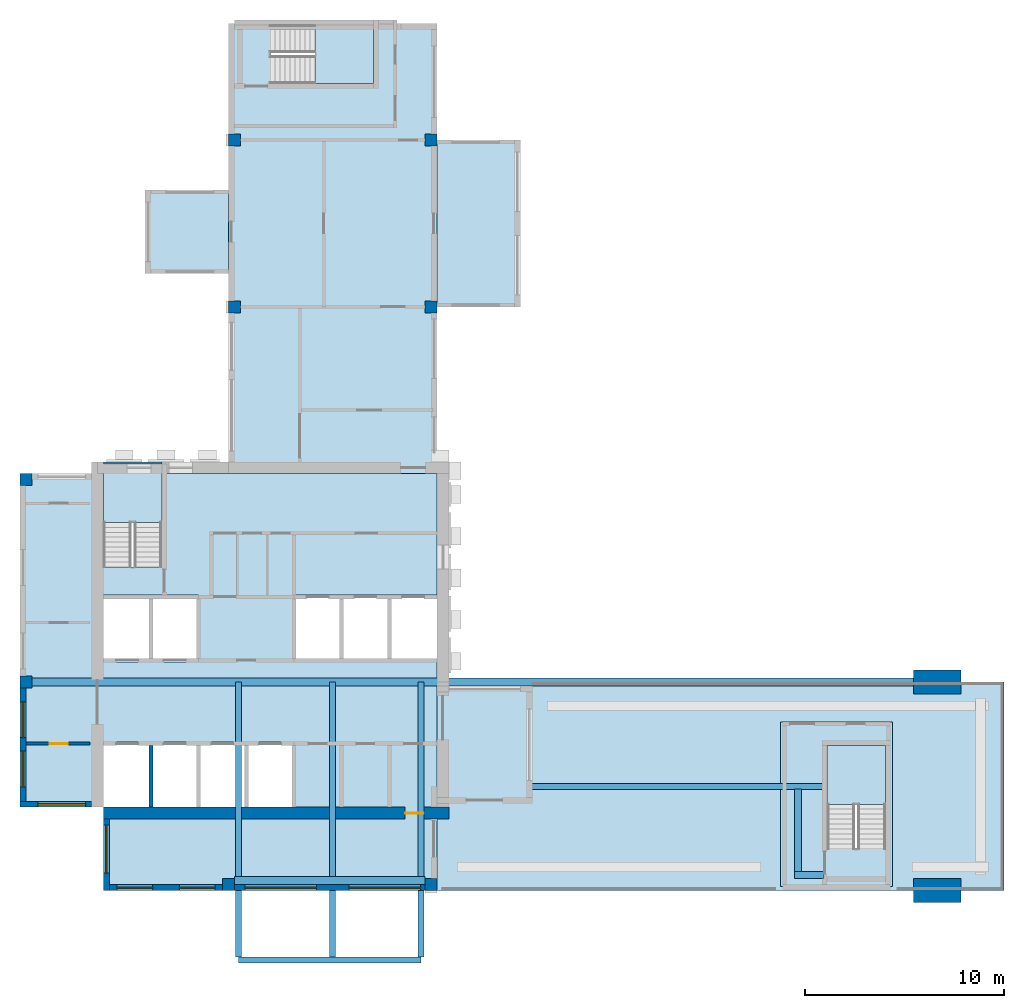
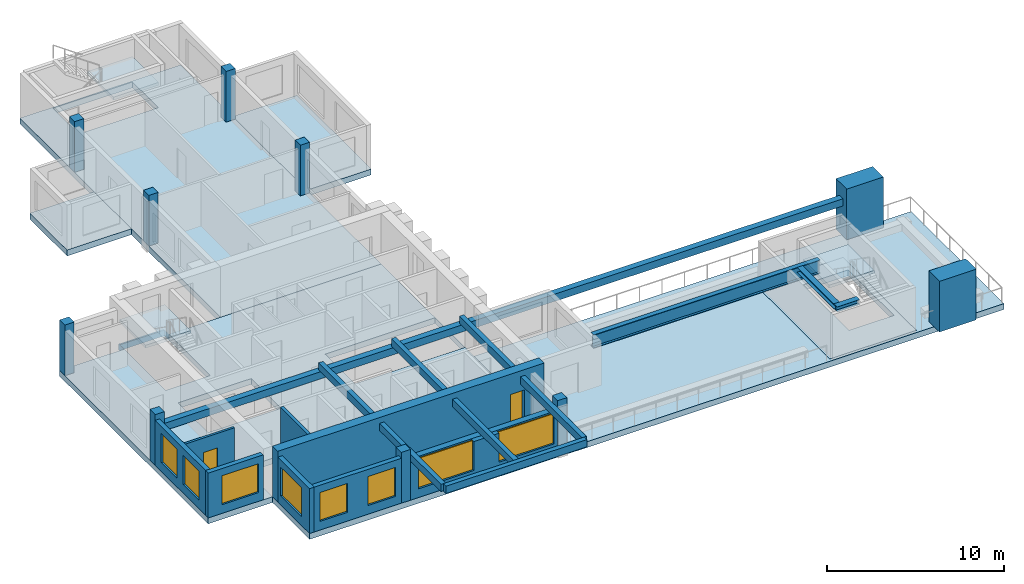
# One storey, part 1 of 9: 10 columns, 10 slabs, 9 beams, 8 walls, 8 windows, 2 doors, 10 openings, 3 elements without a shape of their own.
"""IFC4 building model written with IfcOpenShell, lengths in metres."""

from ifc_helpers import new_model, si_unit, direction, frame, frame_2d, origin, origin_2d, place, context, subcontext, project, spatial, polyline, rectangle, i_section, outline, extrude, source, transform, mapped, material, layer, layer_set, material_profile, profile_set, type_object, element, fill, aggregate, save


model = new_model("IFC4")

# Units and contexts
model_context = context("Model", 3, precision=1e-05, world=origin(), true_north=direction((0.0, 1.0)))
body_context = subcontext(model_context, "Body", "Model", "MODEL_VIEW")
ifc_project = project(units=[si_unit("LENGTHUNIT", "METRE"), si_unit("AREAUNIT", "SQUARE_METRE"), si_unit("VOLUMEUNIT", "CUBIC_METRE"), si_unit("PLANEANGLEUNIT", "RADIAN"), si_unit("MASSUNIT", "GRAM", prefix="KILO")], contexts=[model_context])

# Site, building, storey
site_placement = place(None, origin())
site = spatial("IfcSite", under=ifc_project, at=site_placement, CompositionType="ELEMENT")
building_placement = place(site_placement, origin())
building = spatial("IfcBuilding", under=site, at=building_placement, Name="Aurelian Terraces", CompositionType="ELEMENT")
storey_placement = place(building_placement, frame((0.0, 0.0, 330.0)))
storey = spatial("IfcBuildingStorey", under=building, at=storey_placement, Name="L77", CompositionType="ELEMENT", Elevation=330.0)

# Columns
ifc_material_1 = material(Name="Concrete fc' 55 MPa", Category="concrete")
ifc_material_profile_1 = material_profile(ifc_material_1, rectangle(XDim=2.4, YDim=1.2, at=origin_2d()))
ifc_profile_set_1 = profile_set([ifc_material_profile_1], Name="Concrete fc' 55 MPa")
column_type_1 = type_object("IfcColumnType", Name="Portal jamb pilaster 2400x1200", PredefinedType="PILASTER", material=ifc_profile_set_1)
column_1_placement = place(storey_placement, frame((46.2, 0.0, 0.0), z_axis=(0.0, 0.0, 1.0), x_axis=(1.0, 0.0, 0.0)))
element("IfcColumn", 1, at=column_1_placement, inside=storey, type_object=column_type_1, Name="Column 6/A L77", PredefinedType="PILASTER", context=body_context, shape_type="SweptSolid", body=[
    extrude(rectangle(XDim=2.4, YDim=1.2, at=origin_2d()), origin(), (0.0, 0.0, 1.0), 3.5),
])
ifc_material_profile_2 = material_profile(ifc_material_1, rectangle(XDim=0.6, YDim=0.6, at=origin_2d()))
ifc_profile_set_2 = profile_set([ifc_material_profile_2], Name="Concrete fc' 55 MPa")
column_type_2 = type_object("IfcColumnType", Name="RC COLUMN 600X600 FC55", PredefinedType="COLUMN", material=ifc_profile_set_2)
shared_shape_1 = source(origin(), body_context, "Body", "SweptSolid", [
    extrude(rectangle(XDim=0.6, YDim=0.6, at=origin_2d()), origin(), (0.0, 0.0, 1.0), 3.5),
])
for number, where, z_axis, x_axis, name in (
    (2, (10.5, 0.3, 0.0), (0.0, 0.0, 1.0), (1.0, 0.0, 0.0), "Column 2/A L77"),
    (3, (20.7, 0.3, 0.0), (0.0, 0.0, 1.0), (1.0, 0.0, 0.0), "Column 3/A L77"),
    (4, (0.3, 10.5, 0.0), (0.0, 0.0, 1.0), (1.0, 0.0, 0.0), "Column 1/B L77"),
    (5, (0.3, 20.7, 0.0), (0.0, 0.0, 1.0), (1.0, 0.0, 0.0), "Column 1/C L77"),
    (6, (10.8, 29.4, 0.0), (0.0, 0.0, 1.0), (1.0, 0.0, 0.0), "Column 2/D L77"),
    (7, (20.7, 29.4, 0.0), (0.0, 0.0, 1.0), (1.0, 0.0, 0.0), "Column 3/D L77"),
    (8, (10.8, 37.8, 0.0), (0.0, 0.0, 1.0), (1.0, 0.0, 0.0), "Column 2/E L77"),
    (9, (20.7, 37.8, 0.0), (0.0, 0.0, 1.0), (1.0, 0.0, 0.0), "Column 3/E L77"),
):
    element("IfcColumn", number, at=place(storey_placement, frame(where, z_axis=z_axis, x_axis=x_axis)), inside=storey, type_object=column_type_2, Name=name, PredefinedType="COLUMN", context=body_context, shape_type="MappedRepresentation", body=[
        mapped(shared_shape_1, transform((0.0, 0.0, 0.0), scale=1.0)),
    ])
shared_shape_2 = source(origin(), body_context, "Body", "SweptSolid", [
    extrude(rectangle(XDim=2.4, YDim=1.2, at=origin_2d()), origin(), (0.0, 0.0, 1.0), 3.5),
])
column_2_placement = place(storey_placement, frame((46.2, 10.5, 0.0), z_axis=(0.0, 0.0, 1.0), x_axis=(1.0, 0.0, 0.0)))
element("IfcColumn", 10, at=column_2_placement, inside=storey, type_object=column_type_1, Name="Column 6/B L77", PredefinedType="PILASTER", context=body_context, shape_type="MappedRepresentation", body=[
    mapped(shared_shape_2, transform((0.0, 0.0, 0.0), scale=1.0)),
])

# Beams
ifc_material_2 = material(Name="Concrete fc' 40 MPa", Category="concrete")
ifc_material_profile_3 = material_profile(ifc_material_2, rectangle(XDim=0.3, YDim=0.5, at=origin_2d()))
ifc_profile_set_3 = profile_set([ifc_material_profile_3], Name="Concrete fc' 40 MPa")
beam_type_1 = type_object("IfcBeamType", Name="CONCRETE CANTILEVER BEAM 300X500", PredefinedType="BEAM", material=ifc_profile_set_3)
beam_1_placement = place(storey_placement, frame((11.0, -3.35, 2.85), z_axis=(0.0, 1.0, 0.0), x_axis=(-1.0, 0.0, 0.0)))
element("IfcBeam", 11, at=beam_1_placement, inside=storey, type_object=beam_type_1, Name="Box cantilever beam J93.1", PredefinedType="BEAM", context=body_context, shape_type="SweptSolid", body=[
    extrude(rectangle(XDim=0.3, YDim=0.5, at=origin_2d()), origin(), (0.0, 0.0, 1.0), 13.85),
])
beam_2_placement = place(storey_placement, frame((11.0, -3.5, 2.85), z_axis=(1.0, 0.0, 0.0), x_axis=(0.0, 1.0, 0.0)))
element("IfcBeam", 12, at=beam_2_placement, inside=storey, type_object=beam_type_1, Name="Box tip beam J93", PredefinedType="BEAM", context=body_context, shape_type="SweptSolid", body=[
    extrude(rectangle(XDim=0.3, YDim=0.5, at=origin_2d()), origin(), (0.0, 0.0, 1.0), 9.2),
])
ifc_material_profile_4 = material_profile(ifc_material_2, rectangle(XDim=0.4, YDim=0.5, at=origin_2d()))
ifc_profile_set_4 = profile_set([ifc_material_profile_4], Name="Concrete fc' 40 MPa")
beam_type_2 = type_object("IfcBeamType", Name="CONCRETE EDGE GIRDER 400X500", PredefinedType="BEAM", material=ifc_profile_set_4)
beam_3_placement = place(storey_placement, frame((0.6, 10.5, 2.35), z_axis=(1.0, 0.0, 0.0), x_axis=(0.0, 1.0, 0.0)))
element("IfcBeam", 13, at=beam_3_placement, inside=storey, type_object=beam_type_2, Name="Box girder L77 I180", PredefinedType="BEAM", context=body_context, shape_type="SweptSolid", body=[
    extrude(rectangle(XDim=0.4, YDim=0.5, at=origin_2d()), origin(), (0.0, 0.0, 1.0), 45.3),
])
ifc_material_3 = material(Name="Steel ASTM A992 Gr50", Category="steel")
ifc_material_profile_5 = material_profile(ifc_material_3, i_section(OverallWidth=0.3077, OverallDepth=0.9268, WebThickness=0.0194, FlangeThickness=0.032, at=origin_2d()))
ifc_profile_set_5 = profile_set([ifc_material_profile_5], Name="Steel ASTM A992 Gr50")
beam_type_3 = type_object("IfcBeamType", Name="PC903 PORTAL CHORD W36X194", PredefinedType="BEAM", material=ifc_profile_set_5)
beam_4_placement = place(storey_placement, frame((25.7, 5.25, 2.6364), z_axis=(1.0, 0.0, 0.0), x_axis=(0.0, 1.0, 0.0)))
element("IfcBeam", 14, at=beam_4_placement, inside=storey, type_object=beam_type_3, Name="Link girder L78", PredefinedType="BEAM", context=body_context, shape_type="SweptSolid", body=[
    extrude(i_section(OverallWidth=0.3077, OverallDepth=0.9268, WebThickness=0.0194, FlangeThickness=0.032, at=origin_2d()), origin(), (0.0, 0.0, 1.0), 14.795),
])
ifc_material_profile_6 = material_profile(ifc_material_3, i_section(OverallWidth=0.3688, OverallDepth=0.3561, WebThickness=0.0112, FlangeThickness=0.018, at=origin_2d()))
ifc_profile_set_6 = profile_set([ifc_material_profile_6], Name="Steel ASTM A992 Gr50")
beam_type_4 = type_object("IfcBeamType", Name="PC904 PORTAL CHORD W14X90", PredefinedType="BEAM", material=ifc_profile_set_6)
beam_5_placement = place(storey_placement, frame((39.1844, 0.9488, 2.9218), z_axis=(0.0, 1.0, 0.0), x_axis=(-1.0, 0.0, 0.0)))
element("IfcBeam", 15, at=beam_5_placement, inside=storey, type_object=beam_type_4, Name="Link south leg beam L78", PredefinedType="BEAM", context=body_context, shape_type="SweptSolid", body=[
    extrude(i_section(OverallWidth=0.3688, OverallDepth=0.3561, WebThickness=0.0112, FlangeThickness=0.018, at=origin_2d()), origin(), (0.0, 0.0, 1.0), 4.1673),
])
beam_6_placement = place(storey_placement, frame((39.02, 0.7844, 2.9218), z_axis=(1.0, 0.0, 0.0), x_axis=(0.0, 1.0, 0.0)))
element("IfcBeam", 16, at=beam_6_placement, inside=storey, type_object=beam_type_4, Name="Link south leg end beam L78", PredefinedType="BEAM", context=body_context, shape_type="SweptSolid", body=[
    extrude(i_section(OverallWidth=0.3688, OverallDepth=0.3561, WebThickness=0.0112, FlangeThickness=0.018, at=origin_2d()), origin(), (0.0, 0.0, 1.0), 1.475),
])
shared_shape_3 = source(origin(), body_context, "Body", "SweptSolid", [
    extrude(rectangle(XDim=0.4, YDim=0.5, at=origin_2d()), origin(), (0.0, 0.0, 1.0), 9.6),
])
beam_7_placement = place(storey_placement, frame((10.8, 0.5, 2.35), z_axis=(1.0, 0.0, 0.0), x_axis=(0.0, 1.0, 0.0)))
element("IfcBeam", 17, at=beam_7_placement, inside=storey, type_object=beam_type_2, Name="Box girder L77 O179", PredefinedType="BEAM", context=body_context, shape_type="MappedRepresentation", body=[
    mapped(shared_shape_3, transform((0.0, 0.0, 0.0), scale=1.0)),
])
shared_shape_4 = source(origin(), body_context, "Body", "SweptSolid", [
    extrude(rectangle(XDim=0.3, YDim=0.5, at=origin_2d()), origin(), (0.0, 0.0, 1.0), 13.85),
])
for number, where, z_axis, x_axis, name in (
    (18, (20.2, -3.35, 2.85), (0.0, 1.0, 0.0), (-1.0, 0.0, 0.0), "Box cantilever beam J93.2"),
    (19, (15.75, -3.35, 2.85), (0.0, 1.0, 0.0), (-1.0, 0.0, 0.0), "Box cantilever beam J93.m1"),
):
    element("IfcBeam", number, at=place(storey_placement, frame(where, z_axis=z_axis, x_axis=x_axis)), inside=storey, type_object=beam_type_1, Name=name, PredefinedType="BEAM", context=body_context, shape_type="MappedRepresentation", body=[
        mapped(shared_shape_4, transform((0.0, 0.0, 0.0), scale=1.0)),
    ])

# Slabs
ifc_layer_1 = layer(ifc_material_2, 0.41)
ifc_layer_set_1 = layer_set([ifc_layer_1], Name="Box floor 410")
slab_type_1 = type_object("IfcSlabType", Name="Box floor 410", PredefinedType="NOTDEFINED", material=ifc_layer_set_1)
slab_1_placement = place(storey_placement, frame((0.0, 0.0, -0.41)))
element("IfcSlab", 20, at=slab_1_placement, inside=storey, type_object=slab_type_1, Name="Box floor L77 J92", PredefinedType="NOTDEFINED", context=body_context, shape_type="SweptSolid", body=[
    extrude(outline(polyline([(6.3, 35.28), (6.3, 31.08), (10.5, 31.08), (10.5, 35.28), (6.3, 35.28)])), origin(), (0.0, 0.0, 1.0), 0.41),
])
ifc_layer_2 = layer(ifc_material_2, 0.4)
ifc_layer_set_2 = layer_set([ifc_layer_2], Name="PT FLAT PLATE 400")
slab_type_2 = type_object("IfcSlabType", Name="PT FLAT PLATE 400", PredefinedType="FLOOR", material=ifc_layer_set_2)
slab_2_placement = place(storey_placement, frame((0.0, 0.0, -0.4)))
element("IfcSlab", 21, at=slab_2_placement, inside=storey, type_object=slab_type_2, Name="Floor slab S2 L77", PredefinedType="FLOOR", context=body_context, shape_type="SweptSolid", body=[
    extrude(outline(polyline([(38.3, 8.5), (43.95, 8.5), (43.95, 0.2), (38.3, 0.2), (38.3, 8.5)]), holes=[polyline([(40.66, 2.11), (43.59, 2.11), (43.59, 7.29), (40.66, 7.29), (40.66, 2.11)])]), origin(), (0.0, 0.0, 1.0), 0.4),
])
ifc_layer_3 = layer(ifc_material_2, 0.4001)
ifc_layer_set_3 = layer_set([ifc_layer_3], Name="Terrace slab 400")
slab_type_3 = type_object("IfcSlabType", Name="Terrace slab 400", PredefinedType="NOTDEFINED", material=ifc_layer_set_3)
slab_3_placement = place(storey_placement, frame((0.0, 0.0, -0.4001)))
element("IfcSlab", 22, at=slab_3_placement, inside=storey, type_object=slab_type_3, Name="Portal terrace L77 PORTAL-T1", PredefinedType="NOTDEFINED", context=body_context, shape_type="SweptSolid", body=[
    extrude(outline(polyline([(49.56, 4.2), (49.56, 0.0), (21.0, 0.0), (21.0, 10.5), (49.56, 10.5), (49.56, 6.3), (49.56, 4.2)]), holes=[polyline([(43.95, 8.5), (38.3, 8.5), (38.3, 0.2), (43.95, 0.2), (43.95, 8.5)])]), origin(), (0.0, 0.0, 1.0), 0.4001),
])
shared_shape_5 = source(origin(), body_context, "Body", "SweptSolid", [
    extrude(outline(polyline([(10.5, 43.68), (14.7, 43.68), (16.8, 43.68), (21.0, 43.68), (21.0, 21.0), (10.5, 21.0), (10.5, 43.68)]), holes=[polyline([(17.79, 43.59), (12.61, 43.59), (12.61, 40.66), (17.79, 40.66), (17.79, 43.59)])]), origin(), (0.0, 0.0, 1.0), 0.4),
])
slab_4_placement = place(storey_placement, frame((0.0, 0.0, -0.4)))
element("IfcSlab", 23, at=slab_4_placement, inside=storey, type_object=slab_type_2, Name="Floor slab W L77", PredefinedType="FLOOR", context=body_context, shape_type="MappedRepresentation", body=[
    mapped(shared_shape_5, transform((0.0, 0.0, 0.0), scale=1.0)),
])
shared_shape_6 = source(origin(), body_context, "Body", "SweptSolid", [
    extrude(outline(polyline([(4.2, 21.0), (4.2, 21.6), (7.15, 21.6), (7.15, 21.0), (7.14, 21.0), (7.14, 21.49), (4.21, 21.49), (4.21, 21.0), (4.2, 21.0)])), origin(), (0.0, 0.0, 1.0), 0.4),
])
slab_5_placement = place(storey_placement, frame((0.0, 0.0, -0.4)))
element("IfcSlab", 24, at=slab_5_placement, inside=storey, type_object=slab_type_2, Name="Floor slab W2 L77", PredefinedType="FLOOR", context=body_context, shape_type="MappedRepresentation", body=[
    mapped(shared_shape_6, transform((0.0, 0.0, 0.0), scale=1.0)),
])
shared_shape_7 = source(origin(), body_context, "Body", "SweptSolid", [
    extrude(outline(polyline([(4.2, 4.2), (0.0, 4.2), (0.0, 10.5), (0.0, 21.0), (4.21, 21.0), (4.21, 16.31), (7.14, 16.31), (7.14, 21.0), (21.0, 21.0), (21.0, 10.5), (21.0, 0.0), (4.2, 0.0), (4.2, 4.2)]), holes=[polyline([(13.81, 14.89), (13.81, 11.51), (20.99, 11.51), (20.99, 14.89), (13.81, 14.89)]), polyline([(4.21, 7.49), (4.21, 4.21), (13.79, 4.21), (13.79, 7.49), (4.21, 7.49)]), polyline([(8.99, 11.51), (8.99, 14.89), (4.21, 14.89), (4.21, 11.51), (8.99, 11.51)])]), origin(), (0.0, 0.0, 1.0), 0.4),
])
slab_6_placement = place(storey_placement, frame((0.0, 0.0, -0.4)))
element("IfcSlab", 25, at=slab_6_placement, inside=storey, type_object=slab_type_2, Name="Floor slab S L77", PredefinedType="FLOOR", context=body_context, shape_type="MappedRepresentation", body=[
    mapped(shared_shape_7, transform((0.0, 0.0, 0.0), scale=1.0)),
])
shared_shape_8 = source(origin(), body_context, "Body", "SweptSolid", [
    extrude(outline(polyline([(25.2, 29.4), (25.2, 37.8), (21.0, 37.8), (21.0, 29.4), (25.2, 29.4)])), origin(), (0.0, 0.0, 1.0), 0.41),
])
slab_7_placement = place(storey_placement, frame((0.0, 0.0, -0.41)))
element("IfcSlab", 26, at=slab_7_placement, inside=storey, type_object=slab_type_1, Name="Box floor L77 J91", PredefinedType="NOTDEFINED", context=body_context, shape_type="MappedRepresentation", body=[
    mapped(shared_shape_8, transform((0.0, 0.0, 0.0), scale=1.0)),
])

# Stair, slab
stair_type = type_object("IfcStairType", Name="Stair 1400", PredefinedType="HALF_TURN_STAIR", material=ifc_material_2)
stair_1_placement = place(storey_placement, origin())
stair_1 = element("IfcStair", 27, at=stair_1_placement, inside=storey, type_object=stair_type, Name="L77 S1", PredefinedType="HALF_TURN_STAIR")
ifc_layer_4 = layer(ifc_material_2, 0.2)
ifc_layer_set_4 = layer_set([ifc_layer_4], Name="Stair landing 200")
slab_type_4 = type_object("IfcSlabType", Name="Stair landing 200", PredefinedType="LANDING", material=ifc_layer_set_4)
shared_shape_9 = source(origin(), body_context, "Body", "SweptSolid", [
    extrude(outline(polyline([(7.15, 18.55), (7.15, 21.5), (4.2, 21.5), (4.2, 18.55), (7.15, 18.55)])), origin(), (0.0, 0.0, 1.0), 0.2),
])
slab_8_placement = place(storey_placement, frame((0.0, 0.0, 1.55)))
slab_8 = element("IfcSlab", 28, at=slab_8_placement, type_object=slab_type_4, Name="S1 landing 1", PredefinedType="LANDING", context=body_context, shape_type="MappedRepresentation", body=[
    mapped(shared_shape_9, transform((0.0, 0.0, 0.0), scale=1.0)),
])
aggregate(stair_1, [slab_8])

stair_2_placement = place(storey_placement, origin())
stair_2 = element("IfcStair", 29, at=stair_2_placement, inside=storey, type_object=stair_type, Name="L77 S2", PredefinedType="HALF_TURN_STAIR")
shared_shape_10 = source(origin(), body_context, "Body", "SweptSolid", [
    extrude(outline(polyline([(43.6, 4.35), (43.6, 7.3), (40.65, 7.3), (40.65, 4.35), (43.6, 4.35)])), origin(), (0.0, 0.0, 1.0), 0.2),
])
slab_9_placement = place(storey_placement, frame((0.0, 0.0, 1.55)))
slab_9 = element("IfcSlab", 30, at=slab_9_placement, type_object=slab_type_4, Name="S2 landing 1", PredefinedType="LANDING", context=body_context, shape_type="MappedRepresentation", body=[
    mapped(shared_shape_10, transform((0.0, 0.0, 0.0), scale=1.0)),
])
aggregate(stair_2, [slab_9])

stair_3_placement = place(storey_placement, origin())
stair_3 = element("IfcStair", 31, at=stair_3_placement, inside=storey, type_object=stair_type, Name="L77 S3U", PredefinedType="HALF_TURN_STAIR")
shared_shape_11 = source(origin(), body_context, "Body", "SweptSolid", [
    extrude(outline(polyline([(14.85, 40.65), (17.8, 40.65), (17.8, 43.6), (14.85, 43.6), (14.85, 40.65)])), origin(), (0.0, 0.0, 1.0), 0.2),
])
slab_10_placement = place(storey_placement, frame((0.0, 0.0, 1.55)))
slab_10 = element("IfcSlab", 32, at=slab_10_placement, type_object=slab_type_4, Name="S3U landing 1", PredefinedType="LANDING", context=body_context, shape_type="MappedRepresentation", body=[
    mapped(shared_shape_11, transform((0.0, 0.0, 0.0), scale=1.0)),
])
aggregate(stair_3, [slab_10])

# Wall, openings, windows
ifc_material_4 = material(Name="Terracotta rainscreen cladding", Category="masonry")
ifc_layer_5 = layer(ifc_material_4, 0.3)
ifc_layer_set_5 = layer_set([ifc_layer_5], Name="EW-300")
wall_type_1 = type_object("IfcWallType", Name="EW-300", PredefinedType="STANDARD", material=ifc_layer_set_5)
wall_1_placement = place(storey_placement, frame((10.8, 0.15, 0.0), z_axis=(0.0, 0.0, 1.0), x_axis=(1.0, 0.0, 0.0)))
wall_1 = element("IfcWall", 33, at=wall_1_placement, inside=storey, type_object=wall_type_1, Name="External wall L77 F01.2", PredefinedType="STANDARD", context=body_context, shape_type="SweptSolid", body=[
    extrude(rectangle(XDim=9.6, YDim=0.3, at=frame_2d((4.8, 0.0))), origin(), (0.0, 0.0, 1.0), 2.6),
])
shared_shape_12 = source(origin(), body_context, "Body", "SweptSolid", [
    extrude(rectangle(XDim=3.6, YDim=2.0, at=frame_2d((1.8, 1.0))), frame((0.0, 0.16, 0.0), z_axis=(0.0, -1.0, 0.0), x_axis=(1.0, 0.0, 0.0)), (0.0, 0.0, 1.0), 0.32),
])
opening_1_placement = place(wall_1_placement, frame((0.525, 0.0, 0.6)))
opening_1 = element("IfcOpeningElement", 34, at=opening_1_placement, cuts=wall_1, Name="Opening W3620", PredefinedType="OPENING", context=body_context, shape_type="MappedRepresentation", body=[
    mapped(shared_shape_12, transform((0.0, 0.0, 0.0), scale=1.0)),
])
opening_2_placement = place(wall_1_placement, frame((5.775, 0.0, 0.6)))
opening_2 = element("IfcOpeningElement", 35, at=opening_2_placement, cuts=wall_1, Name="Opening W3620", PredefinedType="OPENING", context=body_context, shape_type="MappedRepresentation", body=[
    mapped(shared_shape_12, transform((0.0, 0.0, 0.0), scale=1.0)),
])
ifc_material_5 = material(Name="Clear glazing", Category="glass")
window_type_1 = type_object("IfcWindowType", Name="W-3600x2000", PartitioningType="SINGLE_PANEL", PredefinedType="WINDOW", material=ifc_material_5)
shared_shape_13 = source(origin(), body_context, "Body", "SweptSolid", [
    extrude(rectangle(XDim=3.6, YDim=2.0, at=frame_2d((1.8, 1.0))), frame((0.0, 0.03, 0.0), z_axis=(0.0, -1.0, 0.0), x_axis=(1.0, 0.0, 0.0)), (0.0, 0.0, 1.0), 0.06),
])
window_1_placement = place(opening_1_placement, origin())
window_1 = element("IfcWindow", 36, at=window_1_placement, inside=storey, type_object=window_type_1, Name="Window L77 L77-F01-02-0", OverallHeight=2.0, OverallWidth=3.6, PartitioningType="SINGLE_PANEL", PredefinedType="WINDOW", context=body_context, shape_type="MappedRepresentation", body=[
    mapped(shared_shape_13, transform((0.0, 0.0, 0.0), scale=1.0)),
])
fill(opening_1, window_1)
window_2_placement = place(opening_2_placement, origin())
window_2 = element("IfcWindow", 37, at=window_2_placement, inside=storey, type_object=window_type_1, Name="Window L77 L77-F01-02-1", OverallHeight=2.0, OverallWidth=3.6, PartitioningType="SINGLE_PANEL", PredefinedType="WINDOW", context=body_context, shape_type="MappedRepresentation", body=[
    mapped(shared_shape_13, transform((0.0, 0.0, 0.0), scale=1.0)),
])
fill(opening_2, window_2)

# Wall, opening, door
ifc_layer_6 = layer(ifc_material_1, 0.6)
ifc_layer_set_6 = layer_set([ifc_layer_6], Name="CORE WALL 600 FC55")
wall_type_2 = type_object("IfcWallType", Name="CORE WALL 600 FC55", PredefinedType="SHEAR", material=ifc_layer_set_6)
shared_shape_14 = source(origin(), body_context, "Body", "SweptSolid", [
    extrude(rectangle(XDim=17.4, YDim=0.6, at=frame_2d((8.7, 0.0))), origin(), (0.0, 0.0, 1.0), 3.5),
])
wall_2_placement = place(storey_placement, frame((4.2, 3.9, 0.0), z_axis=(0.0, 0.0, 1.0), x_axis=(1.0, 0.0, 0.0)))
wall_2 = element("IfcWall", 38, at=wall_2_placement, inside=storey, type_object=wall_type_2, Name="Core wall S L77", PredefinedType="SHEAR", context=body_context, shape_type="MappedRepresentation", body=[
    mapped(shared_shape_14, transform((0.0, 0.0, 0.0), scale=1.0)),
])
shared_shape_15 = source(origin(), body_context, "Body", "SweptSolid", [
    extrude(rectangle(XDim=0.9, YDim=2.1, at=frame_2d((0.45, 1.05))), frame((0.0, 0.31, 0.0), z_axis=(0.0, -1.0, 0.0), x_axis=(1.0, 0.0, 0.0)), (0.0, 0.0, 1.0), 0.62),
])
opening_3_placement = place(wall_2_placement, frame((15.2, 0.0, 0.0)))
opening_3 = element("IfcOpeningElement", 39, at=opening_3_placement, cuts=wall_2, Name="Opening 68028", PredefinedType="OPENING", context=body_context, shape_type="MappedRepresentation", body=[
    mapped(shared_shape_15, transform((0.0, 0.0, 0.0), scale=1.0)),
])
ifc_material_6 = material(Name="Steel door leaf", Category="steel")
door_type_1 = type_object("IfcDoorType", Name="Core service door 900x2100 right", OperationType="SINGLE_SWING_RIGHT", PredefinedType="DOOR", material=ifc_material_6)
shared_shape_16 = source(origin(), body_context, "Body", "SweptSolid", [
    extrude(rectangle(XDim=0.9, YDim=2.1, at=frame_2d((0.45, 1.05))), frame((0.0, 0.025, 0.0), z_axis=(0.0, -1.0, 0.0), x_axis=(1.0, 0.0, 0.0)), (0.0, 0.0, 1.0), 0.05),
])
door_1_placement = place(opening_3_placement, origin())
door_1 = element("IfcDoor", 40, at=door_1_placement, inside=storey, type_object=door_type_1, Name="Core door 68028", OperationType="SINGLE_SWING_RIGHT", OverallHeight=2.1, OverallWidth=0.9, PredefinedType="DOOR", context=body_context, shape_type="MappedRepresentation", body=[
    mapped(shared_shape_16, transform((0.0, 0.0, 0.0), scale=1.0)),
])
fill(opening_3, door_1)

# Wall, opening, window
shared_shape_17 = source(origin(), body_context, "Body", "SweptSolid", [
    extrude(rectangle(XDim=3.6, YDim=0.3, at=frame_2d((1.8, 0.0))), origin(), (0.0, 0.0, 1.0), 3.1),
])
wall_3_placement = place(storey_placement, frame((0.0, 4.35, 0.0), z_axis=(0.0, 0.0, 1.0), x_axis=(1.0, 0.0, 0.0)))
wall_3 = element("IfcWall", 41, at=wall_3_placement, inside=storey, type_object=wall_type_1, Name="External wall L77 F11.17", PredefinedType="STANDARD", context=body_context, shape_type="MappedRepresentation", body=[
    mapped(shared_shape_17, transform((0.0, 0.0, 0.0), scale=1.0)),
])
shared_shape_18 = source(origin(), body_context, "Body", "SweptSolid", [
    extrude(rectangle(XDim=2.4, YDim=2.0, at=frame_2d((1.2, 1.0))), frame((0.0, 0.16, 0.0), z_axis=(0.0, -1.0, 0.0), x_axis=(1.0, 0.0, 0.0)), (0.0, 0.0, 1.0), 0.32),
])
opening_4_placement = place(wall_3_placement, frame((0.9, 0.0, 0.6)))
opening_4 = element("IfcOpeningElement", 42, at=opening_4_placement, cuts=wall_3, Name="Opening W2420", PredefinedType="OPENING", context=body_context, shape_type="MappedRepresentation", body=[
    mapped(shared_shape_18, transform((0.0, 0.0, 0.0), scale=1.0)),
])
window_type_2 = type_object("IfcWindowType", Name="W-2400x2000", PartitioningType="SINGLE_PANEL", PredefinedType="WINDOW", material=ifc_material_5)
shared_shape_19 = source(origin(), body_context, "Body", "SweptSolid", [
    extrude(rectangle(XDim=2.4, YDim=2.0, at=frame_2d((1.2, 1.0))), frame((0.0, 0.03, 0.0), z_axis=(0.0, -1.0, 0.0), x_axis=(1.0, 0.0, 0.0)), (0.0, 0.0, 1.0), 0.06),
])
window_3_placement = place(opening_4_placement, origin())
window_3 = element("IfcWindow", 43, at=window_3_placement, inside=storey, type_object=window_type_2, Name="Window L77 L77-F11-17-0", OverallHeight=2.0, OverallWidth=2.4, PartitioningType="SINGLE_PANEL", PredefinedType="WINDOW", context=body_context, shape_type="MappedRepresentation", body=[
    mapped(shared_shape_19, transform((0.0, 0.0, 0.0), scale=1.0)),
])
fill(opening_4, window_3)

wall_4_placement = place(storey_placement, frame((4.35, 3.6, 0.0), z_axis=(0.0, 0.0, 1.0), x_axis=(0.0, -1.0, 0.0)))
wall_4 = element("IfcWall", 44, at=wall_4_placement, inside=storey, type_object=wall_type_1, Name="External wall L77 F12.18", PredefinedType="STANDARD", context=body_context, shape_type="MappedRepresentation", body=[
    mapped(shared_shape_17, transform((0.0, 0.0, 0.0), scale=1.0)),
])
opening_5_placement = place(wall_4_placement, frame((0.3, 0.0, 0.6)))
opening_5 = element("IfcOpeningElement", 45, at=opening_5_placement, cuts=wall_4, Name="Opening W2420", PredefinedType="OPENING", context=body_context, shape_type="MappedRepresentation", body=[
    mapped(shared_shape_18, transform((0.0, 0.0, 0.0), scale=1.0)),
])
window_4_placement = place(opening_5_placement, origin())
window_4 = element("IfcWindow", 46, at=window_4_placement, inside=storey, type_object=window_type_2, Name="Window L77 L77-F12-18-0", OverallHeight=2.0, OverallWidth=2.4, PartitioningType="SINGLE_PANEL", PredefinedType="WINDOW", context=body_context, shape_type="MappedRepresentation", body=[
    mapped(shared_shape_19, transform((0.0, 0.0, 0.0), scale=1.0)),
])
fill(opening_5, window_4)

# Wall, openings, windows
shared_shape_20 = source(origin(), body_context, "Body", "SweptSolid", [
    extrude(rectangle(XDim=6.0, YDim=0.3, at=frame_2d((3.0, 0.0))), origin(), (0.0, 0.0, 1.0), 3.1),
])
wall_5_placement = place(storey_placement, frame((4.2, 0.15, 0.0), z_axis=(0.0, 0.0, 1.0), x_axis=(1.0, 0.0, 0.0)))
wall_5 = element("IfcWall", 47, at=wall_5_placement, inside=storey, type_object=wall_type_1, Name="External wall L77 F01.1", PredefinedType="STANDARD", context=body_context, shape_type="MappedRepresentation", body=[
    mapped(shared_shape_20, transform((0.0, 0.0, 0.0), scale=1.0)),
])
shared_shape_21 = source(origin(), body_context, "Body", "SweptSolid", [
    extrude(rectangle(XDim=1.8, YDim=2.0, at=frame_2d((0.9, 1.0))), frame((0.0, 0.16, 0.0), z_axis=(0.0, -1.0, 0.0), x_axis=(1.0, 0.0, 0.0)), (0.0, 0.0, 1.0), 0.32),
])
opening_6_placement = place(wall_5_placement, frame((0.675, 0.0, 0.6)))
opening_6 = element("IfcOpeningElement", 48, at=opening_6_placement, cuts=wall_5, Name="Opening W1820", PredefinedType="OPENING", context=body_context, shape_type="MappedRepresentation", body=[
    mapped(shared_shape_21, transform((0.0, 0.0, 0.0), scale=1.0)),
])
opening_7_placement = place(wall_5_placement, frame((3.825, 0.0, 0.6)))
opening_7 = element("IfcOpeningElement", 49, at=opening_7_placement, cuts=wall_5, Name="Opening W1820", PredefinedType="OPENING", context=body_context, shape_type="MappedRepresentation", body=[
    mapped(shared_shape_21, transform((0.0, 0.0, 0.0), scale=1.0)),
])
window_type_3 = type_object("IfcWindowType", Name="W-1800x2000", PartitioningType="SINGLE_PANEL", PredefinedType="WINDOW", material=ifc_material_5)
shared_shape_22 = source(origin(), body_context, "Body", "SweptSolid", [
    extrude(rectangle(XDim=1.8, YDim=2.0, at=frame_2d((0.9, 1.0))), frame((0.0, 0.03, 0.0), z_axis=(0.0, -1.0, 0.0), x_axis=(1.0, 0.0, 0.0)), (0.0, 0.0, 1.0), 0.06),
])
window_5_placement = place(opening_6_placement, origin())
window_5 = element("IfcWindow", 50, at=window_5_placement, inside=storey, type_object=window_type_3, Name="Window L77 L77-F01-01-0", OverallHeight=2.0, OverallWidth=1.8, PartitioningType="SINGLE_PANEL", PredefinedType="WINDOW", context=body_context, shape_type="MappedRepresentation", body=[
    mapped(shared_shape_22, transform((0.0, 0.0, 0.0), scale=1.0)),
])
fill(opening_6, window_5)
window_6_placement = place(opening_7_placement, origin())
window_6 = element("IfcWindow", 51, at=window_6_placement, inside=storey, type_object=window_type_3, Name="Window L77 L77-F01-01-1", OverallHeight=2.0, OverallWidth=1.8, PartitioningType="SINGLE_PANEL", PredefinedType="WINDOW", context=body_context, shape_type="MappedRepresentation", body=[
    mapped(shared_shape_22, transform((0.0, 0.0, 0.0), scale=1.0)),
])
fill(opening_7, window_6)

wall_6_placement = place(storey_placement, frame((0.15, 10.2, 0.0), z_axis=(0.0, 0.0, 1.0), x_axis=(0.0, -1.0, 0.0)))
wall_6 = element("IfcWall", 52, at=wall_6_placement, inside=storey, type_object=wall_type_1, Name="External wall L77 F10.16", PredefinedType="STANDARD", context=body_context, shape_type="MappedRepresentation", body=[
    mapped(shared_shape_20, transform((0.0, 0.0, 0.0), scale=1.0)),
])
opening_8_placement = place(wall_6_placement, frame((3.175, 0.0, 0.6)))
opening_8 = element("IfcOpeningElement", 53, at=opening_8_placement, cuts=wall_6, Name="Opening W1820", PredefinedType="OPENING", context=body_context, shape_type="MappedRepresentation", body=[
    mapped(shared_shape_21, transform((0.0, 0.0, 0.0), scale=1.0)),
])
opening_9_placement = place(wall_6_placement, frame((0.6875, 0.0, 0.6)))
opening_9 = element("IfcOpeningElement", 54, at=opening_9_placement, cuts=wall_6, Name="Opening W1820", PredefinedType="OPENING", context=body_context, shape_type="MappedRepresentation", body=[
    mapped(shared_shape_21, transform((0.0, 0.0, 0.0), scale=1.0)),
])
window_7_placement = place(opening_8_placement, origin())
window_7 = element("IfcWindow", 55, at=window_7_placement, inside=storey, type_object=window_type_3, Name="Window L77 L77-F10-16-3", OverallHeight=2.0, OverallWidth=1.8, PartitioningType="SINGLE_PANEL", PredefinedType="WINDOW", context=body_context, shape_type="MappedRepresentation", body=[
    mapped(shared_shape_22, transform((0.0, 0.0, 0.0), scale=1.0)),
])
fill(opening_8, window_7)
window_8_placement = place(opening_9_placement, origin())
window_8 = element("IfcWindow", 56, at=window_8_placement, inside=storey, type_object=window_type_3, Name="Window L77 L77-F10-16-G1-108", OverallHeight=2.0, OverallWidth=1.8, PartitioningType="SINGLE_PANEL", PredefinedType="WINDOW", context=body_context, shape_type="MappedRepresentation", body=[
    mapped(shared_shape_22, transform((0.0, 0.0, 0.0), scale=1.0)),
])
fill(opening_9, window_8)

# Wall
ifc_layer_7 = layer(ifc_material_2, 0.2)
ifc_layer_set_7 = layer_set([ifc_layer_7], Name="Lift shaft wall 200")
wall_type_3 = type_object("IfcWallType", Name="Lift shaft wall 200", PredefinedType="SOLIDWALL", material=ifc_layer_set_7)
shared_shape_23 = source(origin(), body_context, "Body", "SweptSolid", [
    extrude(rectangle(XDim=3.1, YDim=0.2, at=frame_2d((1.55, 0.0))), origin(), (0.0, 0.0, 1.0), 3.5),
])
wall_7_placement = place(storey_placement, frame((6.6, 4.2, 0.0), z_axis=(0.0, 0.0, 1.0), x_axis=(0.0, 1.0, 0.0)))
element("IfcWall", 57, at=wall_7_placement, inside=storey, type_object=wall_type_3, Name="L77 core wall CD-A1", PredefinedType="SOLIDWALL", context=body_context, shape_type="MappedRepresentation", body=[
    mapped(shared_shape_23, transform((0.0, 0.0, 0.0), scale=1.0)),
])

# Wall, opening, door
ifc_material_7 = material(Name="Gypsum board on steel studs", Category="steel")
ifc_layer_8 = layer(ifc_material_7, 0.15)
ifc_layer_set_8 = layer_set([ifc_layer_8], Name="Partition 150")
wall_type_4 = type_object("IfcWallType", Name="Partition 150", PredefinedType="PARTITIONING", material=ifc_layer_set_8)
shared_shape_24 = source(origin(), body_context, "Body", "SweptSolid", [
    extrude(rectangle(XDim=3.225, YDim=0.15, at=frame_2d((1.6125, 0.0))), origin(), (0.0, 0.0, 1.0), 3.1),
])
wall_8_placement = place(storey_placement, frame((0.3, 7.4, 0.0), z_axis=(0.0, 0.0, 1.0), x_axis=(1.0, 0.0, 0.0)))
wall_8 = element("IfcWall", 58, at=wall_8_placement, inside=storey, type_object=wall_type_4, Name="Partition", PredefinedType="PARTITIONING", context=body_context, shape_type="MappedRepresentation", body=[
    mapped(shared_shape_24, transform((0.0, 0.0, 0.0), scale=1.0)),
])
shared_shape_25 = source(origin(), body_context, "Body", "SweptSolid", [
    extrude(rectangle(XDim=0.9, YDim=2.1, at=frame_2d((0.45, 1.05))), frame((0.0, 0.085, 0.0), z_axis=(0.0, -1.0, 0.0), x_axis=(1.0, 0.0, 0.0)), (0.0, 0.0, 1.0), 0.17),
])
opening_10_placement = place(wall_8_placement, frame((1.2, 0.0, 0.0)))
opening_10 = element("IfcOpeningElement", 59, at=opening_10_placement, cuts=wall_8, Name="Opening 777001", PredefinedType="OPENING", context=body_context, shape_type="MappedRepresentation", body=[
    mapped(shared_shape_25, transform((0.0, 0.0, 0.0), scale=1.0)),
])
ifc_material_8 = material(Name="Timber door leaf", Category="wood")
door_type_2 = type_object("IfcDoorType", Name="Room door 900x2100 left", OperationType="SINGLE_SWING_LEFT", PredefinedType="DOOR", material=ifc_material_8)
door_2_placement = place(opening_10_placement, origin())
door_2 = element("IfcDoor", 60, at=door_2_placement, inside=storey, type_object=door_type_2, Name="Door 777001", OperationType="SINGLE_SWING_LEFT", OverallHeight=2.1, OverallWidth=0.9, PredefinedType="DOOR", context=body_context, shape_type="MappedRepresentation", body=[
    mapped(shared_shape_16, transform((0.0, 0.0, 0.0), scale=1.0)),
])
fill(opening_10, door_2)

save(model, "model.ifc")
